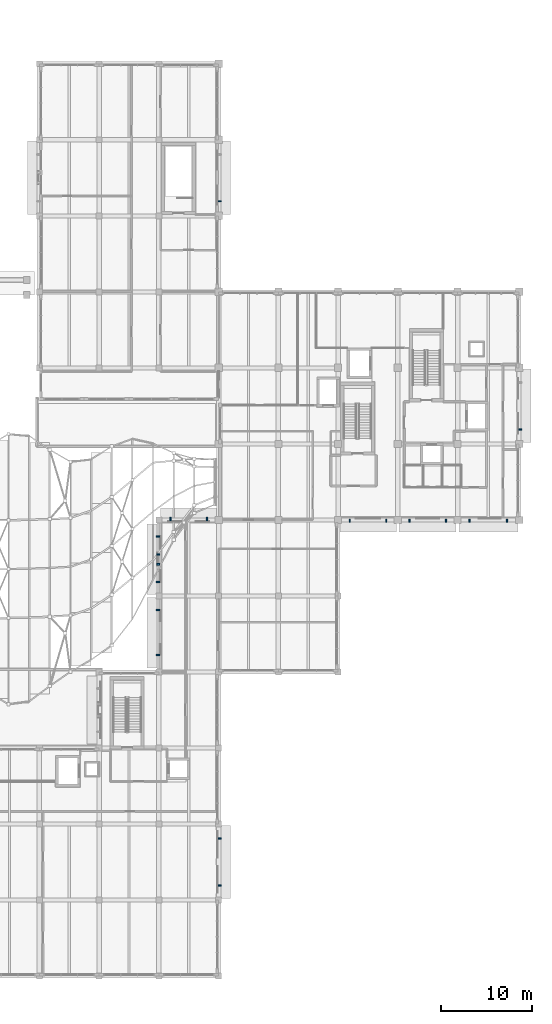
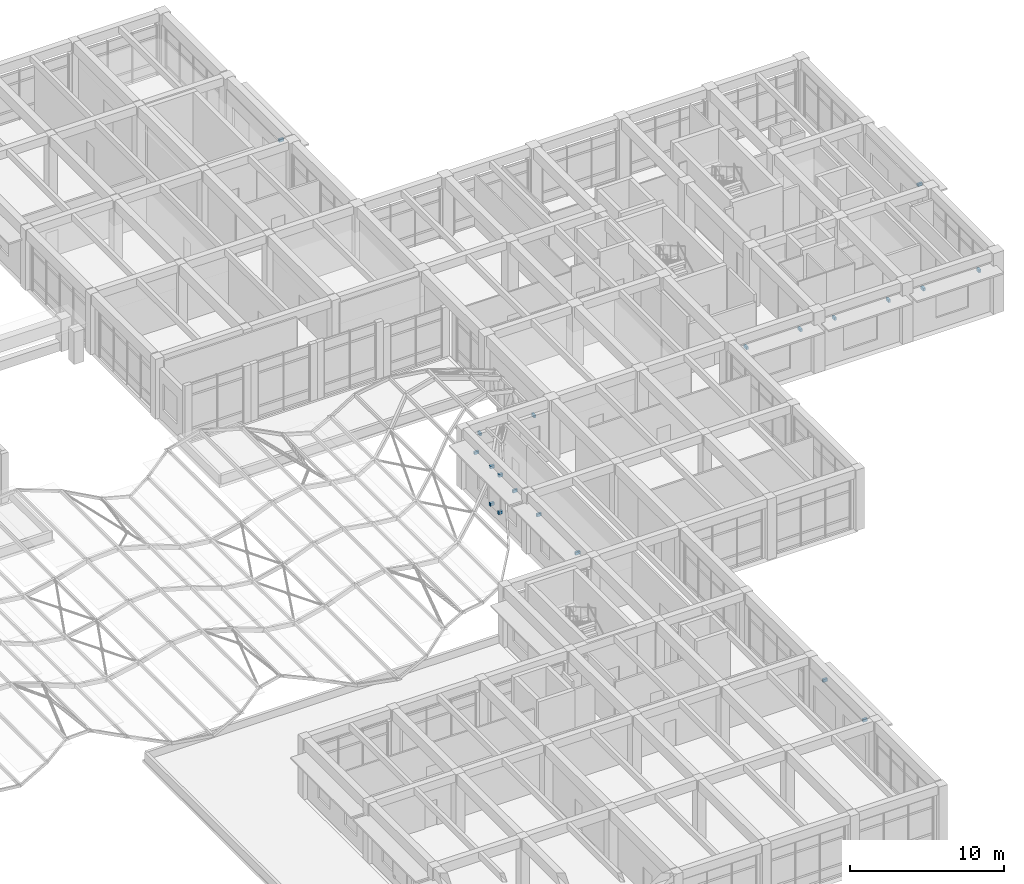
# One storey, part 66 of 79: 20 discrete accessories.
"""IFC4 building model written with IfcOpenShell, lengths in metres."""

from ifc_helpers import new_model, si_unit, direction, frame, origin, origin_2d, place, context, subcontext, project, spatial, rectangle, extrude, material, type_object, element, save


model = new_model("IFC4")

# Units and contexts
model_context = context("Model", 3, precision=1e-05, world=origin(), true_north=direction((0.0, 1.0)))
body_context = subcontext(model_context, "Body", "Model", "MODEL_VIEW")
ifc_project = project(units=[si_unit("LENGTHUNIT", "METRE"), si_unit("AREAUNIT", "SQUARE_METRE"), si_unit("VOLUMEUNIT", "CUBIC_METRE"), si_unit("PLANEANGLEUNIT", "RADIAN"), si_unit("MASSUNIT", "GRAM", prefix="KILO")], contexts=[model_context])

# Site, building, storey
site_placement = place(None, origin())
site = spatial("IfcSite", under=ifc_project, at=site_placement, CompositionType="ELEMENT")
building_placement = place(site_placement, origin())
building = spatial("IfcBuilding", under=site, at=building_placement, Name="Kolvaren Faculty of Natural Sciences", CompositionType="ELEMENT")
storey_placement = place(building_placement, frame((0.0, 0.0, 10.199951171875)))
storey = spatial("IfcBuildingStorey", under=building, at=storey_placement, Name="L02", CompositionType="ELEMENT", Elevation=10.199951171875)

# Discrete accessories
ifc_material = material(Name="Structural steel EN 10025-2 S355J2", Category="steel")
discrete_accessory_type = type_object("IfcDiscreteAccessoryType", Name="FacadeSupportBracket_260", PredefinedType="BRACKET", material=ifc_material)
for number, where, z_axis, x_axis, name in (
    (1, (132.10009765625, 44.053955078125, 3.71484375), (0.0, 0.0, 1.0), (0.0, 1.0, 0.0), "L02 chhajja hood steel bracket"),
    (2, (132.10009765625, 49.0458984375, 3.71484375), (0.0, 0.0, 1.0), (0.0, 1.0, 0.0), "L02 chhajja hood steel bracket"),
    (3, (132.10009765625, 52.154052734375, 3.71484375), (0.0, 0.0, 1.0), (0.0, 1.0, 0.0), "L02 chhajja hood steel bracket"),
    (4, (132.10009765625, 57.14599609375, 3.71484375), (0.0, 0.0, 1.0), (0.0, 1.0, 0.0), "L02 chhajja hood steel bracket"),
):
    element("IfcDiscreteAccessory", number, at=place(storey_placement, frame(where, z_axis=z_axis, x_axis=x_axis)), inside=storey, type_object=discrete_accessory_type, Name=name, PredefinedType="BRACKET", context=body_context, shape_type="SweptSolid", body=[
        extrude(rectangle(XDim=0.159912109375, YDim=0.340087890625, at=origin_2d()), origin(), (0.0, 0.0, 1.0), 0.219970703125),
    ])
for number, where, z_axis, x_axis, name in (
    (5, (132.139892578125, 54.09912109375, 0.81982421875), (0.0, 0.0, 1.0), (0.0, 1.0, 0.0), "L02 jali screen wall bracket"),
    (6, (132.139892578125, 55.200927734375, 0.81982421875), (0.0, 0.0, 1.0), (0.0, 1.0, 0.0), "L02 jali screen wall bracket"),
    (7, (132.139892578125, 54.09912109375, 3.76025390625), (0.0, 0.0, 1.0), (0.0, 1.0, 0.0), "L02 jali screen wall bracket"),
    (8, (132.139892578125, 55.200927734375, 3.76025390625), (0.0, 0.0, 1.0), (0.0, 1.0, 0.0), "L02 jali screen wall bracket"),
):
    element("IfcDiscreteAccessory", number, at=place(storey_placement, frame(where, z_axis=z_axis, x_axis=x_axis)), inside=storey, type_object=discrete_accessory_type, Name=name, PredefinedType="BRACKET", context=body_context, shape_type="SweptSolid", body=[
        extrude(rectangle(XDim=0.179931640625, YDim=0.320068359375, at=origin_2d()), origin(), (0.0, 0.0, 1.0), 0.219970703125),
    ])
for number, where, z_axis, x_axis, name in (
    (9, (133.48388671875, 59.10009765625, 3.56494140625), (0.0, 0.0, 1.0), (1.0, 0.0, 0.0), "L02 chhajja hood steel bracket"),
    (10, (137.51611328125, 59.10009765625, 3.56494140625), (0.0, 0.0, 1.0), (1.0, 0.0, 0.0), "L02 chhajja hood steel bracket"),
    (11, (138.89990234375, 94.2080078125, 3.56494140625), (0.0, 0.0, 1.0), (0.0, -1.0, 0.0), "L02 chhajja hood steel bracket"),
    (12, (172.10009765625, 69.008056640625, 3.71484375), (0.0, 0.0, 1.0), (0.0, -1.0, 0.0), "L02 chhajja hood steel bracket"),
    (13, (170.679931640625, 58.89990234375, 3.56494140625), (0.0, 0.0, 1.0), (-1.0, 0.0, 0.0), "L02 chhajja hood steel bracket"),
    (14, (166.52001953125, 58.89990234375, 3.56494140625), (0.0, 0.0, 1.0), (-1.0, 0.0, 0.0), "L02 chhajja hood steel bracket"),
    (15, (163.916015625, 58.89990234375, 3.56494140625), (0.0, 0.0, 1.0), (-1.0, 0.0, 0.0), "L02 chhajja hood steel bracket"),
    (16, (159.884033203125, 58.89990234375, 3.56494140625), (0.0, 0.0, 1.0), (-1.0, 0.0, 0.0), "L02 chhajja hood steel bracket"),
    (17, (157.31591796875, 58.89990234375, 3.56494140625), (0.0, 0.0, 1.0), (-1.0, 0.0, 0.0), "L02 chhajja hood steel bracket"),
    (18, (153.283935546875, 58.89990234375, 3.56494140625), (0.0, 0.0, 1.0), (-1.0, 0.0, 0.0), "L02 chhajja hood steel bracket"),
    (19, (138.89990234375, 23.7919921875, 3.56494140625), (0.0, 0.0, 1.0), (0.0, -1.0, 0.0), "L02 chhajja hood steel bracket"),
    (20, (138.89990234375, 18.60791015625, 3.56494140625), (0.0, 0.0, 1.0), (0.0, -1.0, 0.0), "L02 chhajja hood steel bracket"),
):
    element("IfcDiscreteAccessory", number, at=place(storey_placement, frame(where, z_axis=z_axis, x_axis=x_axis)), inside=storey, type_object=discrete_accessory_type, Name=name, PredefinedType="BRACKET", context=body_context, shape_type="SweptSolid", body=[
        extrude(rectangle(XDim=0.159912109375, YDim=0.340087890625, at=origin_2d()), origin(), (0.0, 0.0, 1.0), 0.219970703125),
    ])

save(model, "model.ifc")
